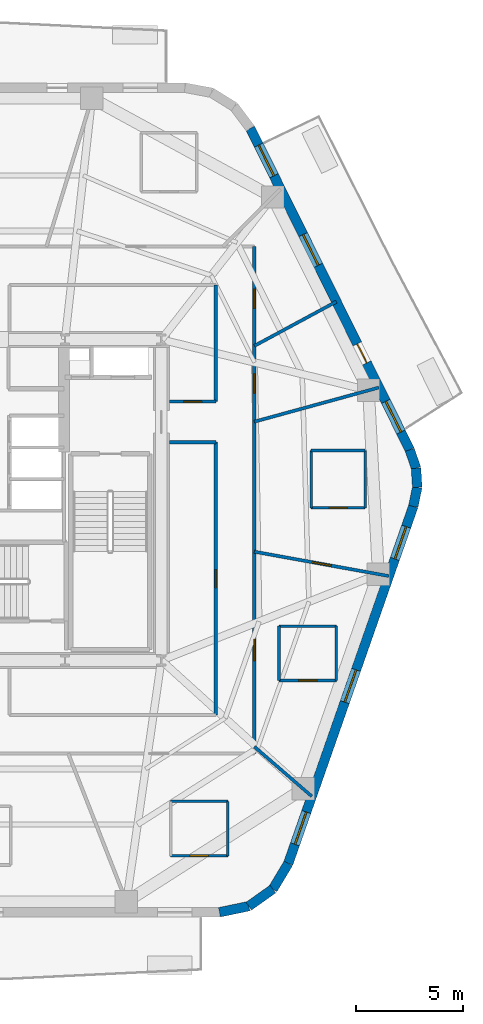
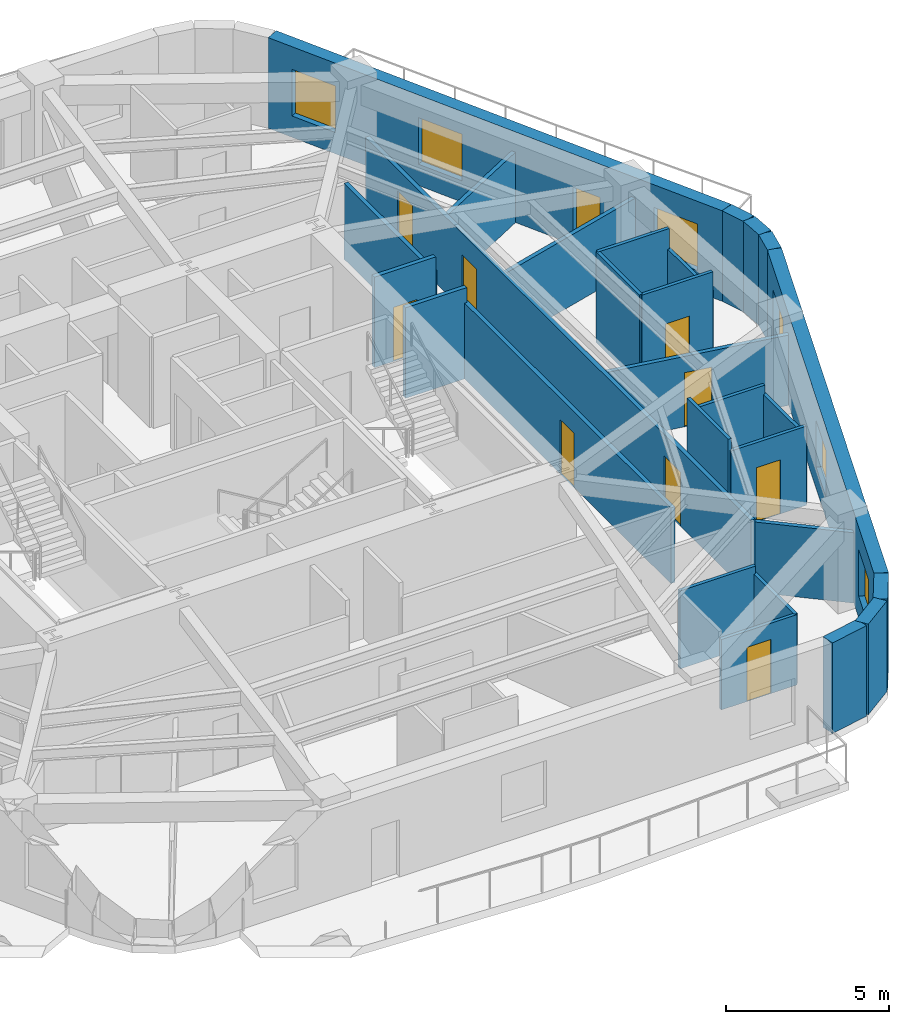
# One storey, part 5 of 10: 28 walls, 10 doors, 6 windows, 16 openings.
"""IFC4 building model written with IfcOpenShell, lengths in metres."""

import ifcopenshell
import ifcopenshell.guid

model = None  # the IFC model being written
_history = None  # IfcOwnerHistory: only IFC2X3 demands one
_inside = {}  # id of a spatial element -> (the spatial element, [elements in it])
_under = {}  # id of a project, library or spatial element -> (it, [spatial elements below it])
_declared = {}  # id of a project -> (the project, [libraries it declares])
_typed = {}  # id of a type object -> (the type object, [elements of that type])
_made_of = {}  # id of a material, layer set ... -> (it, [elements and type objects made of it])


def new_model(schema):
    """Start an empty IFC model of exactly this schema.

    Asked for "IFC4X3", IfcOpenShell would pick the latest addendum, in which some entities
    have other attributes; the version numbers below select the first issue.
    IFC2X3 requires an IfcOwnerHistory on every rooted entity: one is made here for all.
    """
    global model, _history
    if schema == "IFC4X3":
        model = ifcopenshell.file(schema_version=(4, 3, 0, 0))
    else:
        model = ifcopenshell.file(schema=schema)
    _inside.clear()
    _under.clear()
    _declared.clear()
    _typed.clear()
    _made_of.clear()
    _history = None
    if model.schema == "IFC2X3":
        org = make("IfcOrganization", Name="unknown")
        user = make(
            "IfcPersonAndOrganization",
            ThePerson=make("IfcPerson", FamilyName="unknown"),
            TheOrganization=org,
        )
        app = make(
            "IfcApplication",
            ApplicationDeveloper=org,
            Version="unknown",
            ApplicationFullName="unknown",
            ApplicationIdentifier="unknown",
        )
        _history = make(
            "IfcOwnerHistory",
            OwningUser=user,
            OwningApplication=app,
            ChangeAction="ADDED",
            CreationDate=0,
        )
    return model


def make(cls, **values):
    """One entity of the class cls with the attributes given. An attribute that is None is left unset."""
    return model.create_entity(
        cls, **{name: value for name, value in values.items() if value is not None}
    )


def rooted(cls, **values):
    """An entity with a GlobalId (a new one), such as an element, a storey or a relation."""
    return make(cls, GlobalId=ifcopenshell.guid.new(), OwnerHistory=_history, **values)


def si_unit(unit_type, name, prefix=None):
    """IfcSIUnit, for example si_unit("LENGTHUNIT", "METRE", prefix="MILLI")."""
    return make("IfcSIUnit", UnitType=unit_type, Prefix=prefix, Name=name)


def assignment(units):
    """IfcUnitAssignment: the units of a project."""
    return None if units is None else make("IfcUnitAssignment", Units=units)


def point(xyz):
    """IfcCartesianPoint."""
    return None if xyz is None else make("IfcCartesianPoint", Coordinates=xyz)


def direction(xyz):
    """IfcDirection."""
    return None if xyz is None else make("IfcDirection", DirectionRatios=xyz)


def frame(location, z_axis=None, x_axis=None):
    """IfcAxis2Placement3D, a coordinate frame: its origin and axes. An axis left out is left unset."""
    return make(
        "IfcAxis2Placement3D",
        Location=point(location),
        Axis=direction(z_axis),
        RefDirection=direction(x_axis),
    )


def frame_2d(location, x_axis=None):
    """IfcAxis2Placement2D, a coordinate frame in the plane: its origin and x axis."""
    return make(
        "IfcAxis2Placement2D", Location=point(location), RefDirection=direction(x_axis)
    )


def origin():
    """The frame at (0, 0, 0) with its axes left unset."""
    return frame((0.0, 0.0, 0.0))


def place(relative_to, where):
    """IfcLocalPlacement: puts the frame where relative to a parent placement (None: the world)."""
    return make(
        "IfcLocalPlacement", PlacementRelTo=relative_to, RelativePlacement=where
    )


def context(
    kind, dimensions, precision=None, world=None, true_north=None, identifier=None
):
    """IfcGeometricRepresentationContext, for example the 3D "Model" context."""
    return make(
        "IfcGeometricRepresentationContext",
        ContextIdentifier=identifier,
        ContextType=kind,
        CoordinateSpaceDimension=dimensions,
        Precision=precision,
        WorldCoordinateSystem=world,
        TrueNorth=true_north,
    )


def subcontext(parent, identifier, kind, view, scale=None):
    """IfcGeometricRepresentationSubContext, for example "Body" below "Model"."""
    return make(
        "IfcGeometricRepresentationSubContext",
        ContextIdentifier=identifier,
        ContextType=kind,
        ParentContext=parent,
        TargetScale=scale,
        TargetView=view,
    )


def project(units=None, contexts=None):
    """IfcProject with its units and contexts."""
    return rooted(
        "IfcProject",
        Name="project",
        RepresentationContexts=contexts,
        UnitsInContext=assignment(units),
    )


def spatial(cls, under=None, at=None, **own):
    """A site, building, storey or space (cls), placed at a placement, below another one or the project."""
    s = rooted(cls, ObjectPlacement=at, **own)
    if under is not None:
        _under.setdefault(under.id(), (under, []))[1].append(s)
    return s


def profile(cls, at=None, kind="AREA", **sizes):
    """A parametric profile (cls). Its sizes go by their IFC names, for example OverallWidth=200.0."""
    return make(cls, ProfileType=kind, Position=at, **sizes)


def rectangle(**sizes):
    """IfcRectangleProfileDef."""
    return profile("IfcRectangleProfileDef", **sizes)


def extrude(swept, where, along, depth):
    """IfcExtrudedAreaSolid: the profile swept, set in the frame where, extruded along a direction by depth."""
    return make(
        "IfcExtrudedAreaSolid",
        SweptArea=swept,
        Position=where,
        ExtrudedDirection=direction(along),
        Depth=depth,
    )


def shape(context_of_items, identifier, shape_type, items):
    """IfcShapeRepresentation: the items that make up one representation, for example the "Body"."""
    return make(
        "IfcShapeRepresentation",
        ContextOfItems=context_of_items,
        RepresentationIdentifier=identifier,
        RepresentationType=shape_type,
        Items=items,
    )


def material(Name=None, Category=None):
    """IfcMaterial."""
    return make("IfcMaterial", Name=Name, Category=Category)


def layer(
    of_material, thickness, ventilated=None, Name=None, Category=None, Priority=None
):
    """IfcMaterialLayer: one layer of a wall or slab, of a material (None: an air gap)."""
    return make(
        "IfcMaterialLayer",
        Material=of_material,
        LayerThickness=thickness,
        IsVentilated=ventilated,
        Name=Name,
        Category=Category,
        Priority=Priority,
    )


def layer_set(layers, Name=None):
    """IfcMaterialLayerSet."""
    return make("IfcMaterialLayerSet", MaterialLayers=layers, LayerSetName=Name)


def made_of(thing, what):
    """Note that an element or type object is made of a material, layer set ...; save() writes the relation."""
    if what is not None:
        _made_of.setdefault(what.id(), (what, []))[1].append(thing)
    return thing


def type_object(cls, material=None, **own):
    """A type object (cls), such as IfcWallType, which elements share."""
    return made_of(rooted(cls, **own), material)


def element(
    cls,
    number,
    at=None,
    inside=None,
    cuts=None,
    type_object=None,
    material=None,
    context=None,
    identifier="Body",
    shape_type=None,
    held_by="IfcProductDefinitionShape",
    body=None,
    shapes=None,
    **own,
):
    """One element of the class cls, such as IfcWall. Its Tag is "e" and its number.

    at: its placement. inside: the storey or other place that contains it. cuts: it is an
    opening in that element (IfcRelVoidsElement). A single representation is given by context,
    identifier, shape_type and body (its items); several are given by shapes. held_by: the class
    of the entity that holds the representations. save() writes the other relations.
    """
    e = rooted(cls, Tag="e%d" % number, ObjectPlacement=at, **own)
    if body is not None:
        shapes = [shape(context, identifier, shape_type, body)]
    if shapes is not None:
        e.Representation = make(held_by, Representations=shapes)
    if inside is not None:
        _inside.setdefault(inside.id(), (inside, []))[1].append(e)
    if cuts is not None:
        rooted(
            "IfcRelVoidsElement", RelatingBuildingElement=cuts, RelatedOpeningElement=e
        )
    if type_object is not None:
        _typed.setdefault(type_object.id(), (type_object, []))[1].append(e)
    return made_of(e, material)


def fill(opening, filler):
    """IfcRelFillsElement: the door or window that sits in an opening."""
    return rooted(
        "IfcRelFillsElement",
        RelatingOpeningElement=opening,
        RelatedBuildingElement=filler,
    )


def aggregate(whole, parts):
    """IfcRelAggregates: a whole, such as a stair, and the parts it consists of."""
    return rooted("IfcRelAggregates", RelatingObject=whole, RelatedObjects=parts)


def save(model, path):
    """Write the relations noted so far, then the file.

    IfcRelAggregates (storeys below a building ...), IfcRelContainedInSpatialStructure (elements
    in a storey), IfcRelDefinesByType, IfcRelAssociatesMaterial and IfcRelDeclares: one each for
    every whole, place, type object, material and project.
    """
    for whole, parts in _under.values():
        aggregate(whole, parts)
    for where, things in _inside.values():
        rooted(
            "IfcRelContainedInSpatialStructure",
            RelatedElements=things,
            RelatingStructure=where,
        )
    for kind, things in _typed.values():
        rooted("IfcRelDefinesByType", RelatedObjects=things, RelatingType=kind)
    for what, things in _made_of.values():
        rooted("IfcRelAssociatesMaterial", RelatedObjects=things, RelatingMaterial=what)
    for by, libraries in _declared.values():
        rooted("IfcRelDeclares", RelatingContext=by, RelatedDefinitions=libraries)
    model.write(path)


model = new_model("IFC4")

# Units and contexts
model_context = context("Model", 3, precision=1e-05, world=origin(), true_north=direction((0.0, 1.0)))
body_context = subcontext(model_context, "Body", "Model", "MODEL_VIEW")
ifc_project = project(units=[si_unit("LENGTHUNIT", "METRE"), si_unit("AREAUNIT", "SQUARE_METRE"), si_unit("VOLUMEUNIT", "CUBIC_METRE"), si_unit("PLANEANGLEUNIT", "RADIAN"), si_unit("MASSUNIT", "GRAM", prefix="KILO")], contexts=[model_context])

# Site, building, storey
site_placement = place(None, origin())
site = spatial("IfcSite", under=ifc_project, at=site_placement, CompositionType="ELEMENT")
building_placement = place(site_placement, origin())
building = spatial("IfcBuilding", under=site, at=building_placement, Name="Kilnhurst Terrace Hotel", CompositionType="ELEMENT")
storey_placement = place(building_placement, frame((0.0, 0.0, 190.39990234375)))
storey = spatial("IfcBuildingStorey", under=building, at=storey_placement, Name="L47", CompositionType="ELEMENT", Elevation=190.39990234375)

# Walls
ifc_material_1 = material(Name="Precast concrete C40/50", Category="concrete")
ifc_layer_1 = layer(ifc_material_1, 0.449951171875, Name="Precast concrete C40/50")
ifc_layer_set_1 = layer_set([ifc_layer_1], Name="Precast concrete C40/50")
wall_type_1 = type_object("IfcWallType", Name="WL-BRK-450", PredefinedType="SOLIDWALL", material=ifc_layer_set_1)
wall_1_placement = place(storey_placement, frame((11.720458984375, -19.27490234375, 0.0), z_axis=(0.0, 0.0, 1.0), x_axis=(0.97893106758, 0.204191001093, 0.0)))
element("IfcWall", 1, at=wall_1_placement, inside=storey, type_object=wall_type_1, Name="L47 Rounded Corner Brick Wall C2.1", PredefinedType="SOLIDWALL", context=body_context, shape_type="SweptSolid", body=[
    extrude(rectangle(XDim=1.400146484375, YDim=0.449951171875, at=frame_2d((0.7001953125, 0.0))), origin(), (0.0, 0.0, 1.0), 3.400146484375),
])
wall_2_placement = place(storey_placement, frame((13.091064453125, -18.989013671875, 0.0), z_axis=(0.0, 0.0, 1.0), x_axis=(0.815574637848, 0.578651890258, 0.0)))
element("IfcWall", 2, at=wall_2_placement, inside=storey, type_object=wall_type_1, Name="L47 Rounded Corner Brick Wall C2.2", PredefinedType="SOLIDWALL", context=body_context, shape_type="SweptSolid", body=[
    extrude(rectangle(XDim=1.376708984375, YDim=0.449951171875, at=frame_2d((0.6884765625, 0.0))), origin(), (0.0, 0.0, 1.0), 3.400146484375),
])
wall_3_placement = place(storey_placement, frame((14.2138671875, -18.1923828125, 0.0), z_axis=(0.0, 0.0, 1.0), x_axis=(0.516340945502, 0.856383108193, 0.0)))
element("IfcWall", 3, at=wall_3_placement, inside=storey, type_object=wall_type_1, Name="L47 Rounded Corner Brick Wall C2.3", PredefinedType="SOLIDWALL", context=body_context, shape_type="SweptSolid", body=[
    extrude(rectangle(XDim=1.400146484375, YDim=0.449951171875, at=frame_2d((0.7001953125, 0.0))), origin(), (0.0, 0.0, 1.0), 3.400146484375),
])
wall_4_placement = place(storey_placement, frame((20.78173828125, -0.298095703125, 0.0), z_axis=(0.0, 0.0, 1.0), x_axis=(0.202570068411, 0.979267771033, 0.0)))
element("IfcWall", 4, at=wall_4_placement, inside=storey, type_object=wall_type_1, Name="L47 Rounded Corner Brick Wall C3.1", PredefinedType="SOLIDWALL", context=body_context, shape_type="SweptSolid", body=[
    extrude(rectangle(XDim=0.90869140625, YDim=0.449951171875, at=frame_2d((0.454345703125, 0.0))), origin(), (0.0, 0.0, 1.0), 3.400146484375),
])
wall_5_placement = place(storey_placement, frame((20.9658203125, 0.591796875, 0.0), z_axis=(0.0, 0.0, 1.0), x_axis=(-0.061748898935, 0.998091715966, 0.0)))
element("IfcWall", 5, at=wall_5_placement, inside=storey, type_object=wall_type_1, Name="L47 Rounded Corner Brick Wall C3.2", PredefinedType="SOLIDWALL", context=body_context, shape_type="SweptSolid", body=[
    extrude(rectangle(XDim=0.8935546875, YDim=0.449951171875, at=frame_2d((0.44677734375, 0.0))), origin(), (0.0, 0.0, 1.0), 3.400146484375),
])
wall_6_placement = place(storey_placement, frame((20.91064453125, 1.483642578125, 0.0), z_axis=(0.0, 0.0, 1.0), x_axis=(-0.321623334353, 0.946867694453, 0.0)))
element("IfcWall", 6, at=wall_6_placement, inside=storey, type_object=wall_type_1, Name="L47 Rounded Corner Brick Wall C3.3", PredefinedType="SOLIDWALL", context=body_context, shape_type="SweptSolid", body=[
    extrude(rectangle(XDim=0.90869140625, YDim=0.449951171875, at=frame_2d((0.454345703125, 0.0))), origin(), (0.0, 0.0, 1.0), 3.400146484375),
])

# Wall, openings, windows
wall_7_placement = place(storey_placement, frame((14.936767578125, -16.993408203125, 0.0), z_axis=(0.0, 0.0, 1.0), x_axis=(0.330431575061, 0.943829949834, 0.0)))
wall_7 = element("IfcWall", 7, at=wall_7_placement, inside=storey, type_object=wall_type_1, Name="L47 Exterior Brick Facade Wall F2", PredefinedType="SOLIDWALL", context=body_context, shape_type="SweptSolid", body=[
    extrude(rectangle(XDim=17.68896484375, YDim=0.449951171875, at=frame_2d((8.844482421875, 0.0))), origin(), (0.0, 0.0, 1.0), 3.400146484375),
])
opening_1_placement = place(wall_7_placement, frame((0.949951171875, 0.0, 0.800048828125)))
opening_1 = element("IfcOpeningElement", 8, at=opening_1_placement, cuts=wall_7, Name="Opening W-05", PredefinedType="OPENING", context=body_context, shape_type="SweptSolid", body=[
    extrude(rectangle(XDim=1.60009765625, YDim=1.75, at=frame_2d((0.800048828125, 0.875))), frame((0.0, 0.23486328125, 0.0), z_axis=(0.0, -1.0, 0.0), x_axis=(1.0, 0.0, 0.0)), (0.0, 0.0, 1.0), 0.469970703125),
])
opening_2_placement = place(wall_7_placement, frame((7.989990234375, 0.0, 0.800048828125)))
opening_2 = element("IfcOpeningElement", 9, at=opening_2_placement, cuts=wall_7, Name="Opening W-05", PredefinedType="OPENING", context=body_context, shape_type="SweptSolid", body=[
    extrude(rectangle(XDim=1.60009765625, YDim=1.75, at=frame_2d((0.800048828125, 0.875))), frame((0.0, 0.23486328125, 0.0), z_axis=(0.0, -1.0, 0.0), x_axis=(1.0, 0.0, 0.0)), (0.0, 0.0, 1.0), 0.469970703125),
])
opening_3_placement = place(wall_7_placement, frame((15.083984375, 0.0, 0.800048828125)))
opening_3 = element("IfcOpeningElement", 10, at=opening_3_placement, cuts=wall_7, Name="Opening W-05", PredefinedType="OPENING", context=body_context, shape_type="SweptSolid", body=[
    extrude(rectangle(XDim=1.60009765625, YDim=1.75, at=frame_2d((0.800048828125, 0.875))), frame((0.0, 0.23486328125, 0.0), z_axis=(0.0, -1.0, 0.0), x_axis=(1.0, 0.0, 0.0)), (0.0, 0.0, 1.0), 0.469970703125),
])
ifc_material_2 = material(Name="Thermally Broken Bronze Aluminium Alloy 6063-T6 and Low-E Glass", Category="aluminium")
window_type = type_object("IfcWindowType", Name="WIN-1600X1750", PartitioningType="SINGLE_PANEL", PredefinedType="WINDOW", material=ifc_material_2)
window_1_placement = place(opening_1_placement, origin())
window_1 = element("IfcWindow", 11, at=window_1_placement, inside=storey, type_object=window_type, Name="L47 Deep-Set Masonry Window F2.1", OverallHeight=1.75, OverallWidth=1.60009765625, PartitioningType="SINGLE_PANEL", PredefinedType="WINDOW", context=body_context, shape_type="SweptSolid", body=[
    extrude(rectangle(XDim=1.60009765625, YDim=1.75, at=frame_2d((0.800048828125, 0.875))), frame((0.0, 0.030029296875, 0.0), z_axis=(0.0, -1.0, 0.0), x_axis=(1.0, 0.0, 0.0)), (0.0, 0.0, 1.0), 0.06005859375),
])
fill(opening_1, window_1)
window_2_placement = place(opening_2_placement, origin())
window_2 = element("IfcWindow", 12, at=window_2_placement, inside=storey, type_object=window_type, Name="L47 Deep-Set Masonry Window F2.2", OverallHeight=1.75, OverallWidth=1.60009765625, PartitioningType="SINGLE_PANEL", PredefinedType="WINDOW", context=body_context, shape_type="SweptSolid", body=[
    extrude(rectangle(XDim=1.60009765625, YDim=1.75, at=frame_2d((0.800048828125, 0.875))), frame((0.0, 0.030029296875, 0.0), z_axis=(0.0, -1.0, 0.0), x_axis=(1.0, 0.0, 0.0)), (0.0, 0.0, 1.0), 0.06005859375),
])
fill(opening_2, window_2)
window_3_placement = place(opening_3_placement, origin())
window_3 = element("IfcWindow", 13, at=window_3_placement, inside=storey, type_object=window_type, Name="L47 Deep-Set Masonry Window F2.3", OverallHeight=1.75, OverallWidth=1.60009765625, PartitioningType="SINGLE_PANEL", PredefinedType="WINDOW", context=body_context, shape_type="SweptSolid", body=[
    extrude(rectangle(XDim=1.60009765625, YDim=1.75, at=frame_2d((0.800048828125, 0.875))), frame((0.0, 0.030029296875, 0.0), z_axis=(0.0, -1.0, 0.0), x_axis=(1.0, 0.0, 0.0)), (0.0, 0.0, 1.0), 0.06005859375),
])
fill(opening_3, window_3)

# Wall, openings, door, windows
wall_8_placement = place(storey_placement, frame((20.618408203125, 2.343994140625, 0.0), z_axis=(0.0, 0.0, 1.0), x_axis=(-0.444243691097, 0.895905990002, 0.0)))
wall_8 = element("IfcWall", 14, at=wall_8_placement, inside=storey, type_object=wall_type_1, Name="L47 Exterior Brick Facade Wall F3", PredefinedType="SOLIDWALL", context=body_context, shape_type="SweptSolid", body=[
    extrude(rectangle(XDim=16.78369140625, YDim=0.449951171875, at=frame_2d((8.391845703125, 0.0))), origin(), (0.0, 0.0, 1.0), 3.400146484375),
])
opening_4_placement = place(wall_8_placement, frame((4.534912109375, 0.0, 0.0)))
opening_4 = element("IfcOpeningElement", 15, at=opening_4_placement, cuts=wall_8, Name="Opening BD-1000", PredefinedType="OPENING", context=body_context, shape_type="SweptSolid", body=[
    extrude(rectangle(XDim=1.0, YDim=2.14990234375, at=frame_2d((0.5, 1.074951171875))), frame((0.0, 0.23486328125, 0.0), z_axis=(0.0, -1.0, 0.0), x_axis=(1.0, 0.0, 0.0)), (0.0, 0.0, 1.0), 0.469970703125),
])
opening_5_placement = place(wall_8_placement, frame((9.633056640625, 0.0, 0.800048828125)))
opening_5 = element("IfcOpeningElement", 16, at=opening_5_placement, cuts=wall_8, Name="Opening W-05", PredefinedType="OPENING", context=body_context, shape_type="SweptSolid", body=[
    extrude(rectangle(XDim=1.60009765625, YDim=1.75, at=frame_2d((0.800048828125, 0.875))), frame((0.0, 0.23486328125, 0.0), z_axis=(0.0, -1.0, 0.0), x_axis=(1.0, 0.0, 0.0)), (0.0, 0.0, 1.0), 0.469970703125),
])
opening_6_placement = place(wall_8_placement, frame((14.302978515625, 0.0, 0.800048828125)))
opening_6 = element("IfcOpeningElement", 17, at=opening_6_placement, cuts=wall_8, Name="Opening W-05", PredefinedType="OPENING", context=body_context, shape_type="SweptSolid", body=[
    extrude(rectangle(XDim=1.60009765625, YDim=1.75, at=frame_2d((0.800048828125, 0.875))), frame((0.0, 0.23486328125, 0.0), z_axis=(0.0, -1.0, 0.0), x_axis=(1.0, 0.0, 0.0)), (0.0, 0.0, 1.0), 0.469970703125),
])
opening_7_placement = place(wall_8_placement, frame((0.930908203125, 0.0, 0.800048828125)))
opening_7 = element("IfcOpeningElement", 18, at=opening_7_placement, cuts=wall_8, Name="Opening W-05", PredefinedType="OPENING", context=body_context, shape_type="SweptSolid", body=[
    extrude(rectangle(XDim=1.60009765625, YDim=1.75, at=frame_2d((0.800048828125, 0.875))), frame((0.0, 0.23486328125, 0.0), z_axis=(0.0, -1.0, 0.0), x_axis=(1.0, 0.0, 0.0)), (0.0, 0.0, 1.0), 0.469970703125),
])
ifc_material_3 = material(Name="Thermally Broken Bronze Aluminium Alloy 6063-T6 and Laminated Glass", Category="aluminium")
door_type_1 = type_object("IfcDoorType", Name="DR-EXT-BAL-1000", OperationType="NOTDEFINED", PredefinedType="DOOR", material=ifc_material_3)
door_1_placement = place(opening_4_placement, origin())
door_1 = element("IfcDoor", 19, at=door_1_placement, inside=storey, type_object=door_type_1, Name="L47 Planted Balcony Door BAL-L1A", OperationType="SINGLE_SWING_LEFT", OverallHeight=2.14990234375, OverallWidth=1.0, PredefinedType="DOOR", context=body_context, shape_type="SweptSolid", body=[
    extrude(rectangle(XDim=1.0, YDim=2.14990234375, at=frame_2d((0.5, 1.074951171875))), frame((0.0, 0.02490234375, 0.0), z_axis=(0.0, -1.0, 0.0), x_axis=(1.0, 0.0, 0.0)), (0.0, 0.0, 1.0), 0.050048828125),
])
fill(opening_4, door_1)
window_4_placement = place(opening_5_placement, origin())
window_4 = element("IfcWindow", 20, at=window_4_placement, inside=storey, type_object=window_type, Name="L47 Deep-Set Masonry Window F3.1", OverallHeight=1.75, OverallWidth=1.60009765625, PartitioningType="SINGLE_PANEL", PredefinedType="WINDOW", context=body_context, shape_type="SweptSolid", body=[
    extrude(rectangle(XDim=1.60009765625, YDim=1.75, at=frame_2d((0.800048828125, 0.875))), frame((0.0, 0.030029296875, 0.0), z_axis=(0.0, -1.0, 0.0), x_axis=(1.0, 0.0, 0.0)), (0.0, 0.0, 1.0), 0.06005859375),
])
fill(opening_5, window_4)
window_5_placement = place(opening_6_placement, origin())
window_5 = element("IfcWindow", 21, at=window_5_placement, inside=storey, type_object=window_type, Name="L47 Deep-Set Masonry Window F3.2", OverallHeight=1.75, OverallWidth=1.60009765625, PartitioningType="SINGLE_PANEL", PredefinedType="WINDOW", context=body_context, shape_type="SweptSolid", body=[
    extrude(rectangle(XDim=1.60009765625, YDim=1.75, at=frame_2d((0.800048828125, 0.875))), frame((0.0, 0.030029296875, 0.0), z_axis=(0.0, -1.0, 0.0), x_axis=(1.0, 0.0, 0.0)), (0.0, 0.0, 1.0), 0.06005859375),
])
fill(opening_6, window_5)
window_6_placement = place(opening_7_placement, origin())
window_6 = element("IfcWindow", 22, at=window_6_placement, inside=storey, type_object=window_type, Name="L47 Deep-Set Masonry Window F3.3", OverallHeight=1.75, OverallWidth=1.60009765625, PartitioningType="SINGLE_PANEL", PredefinedType="WINDOW", context=body_context, shape_type="SweptSolid", body=[
    extrude(rectangle(XDim=1.60009765625, YDim=1.75, at=frame_2d((0.800048828125, 0.875))), frame((0.0, 0.030029296875, 0.0), z_axis=(0.0, -1.0, 0.0), x_axis=(1.0, 0.0, 0.0)), (0.0, 0.0, 1.0), 0.06005859375),
])
fill(opening_7, window_6)

# Wall, openings, doors
ifc_material_4 = material(Name="Acoustic Double-Gypsum Corridor Partition Assembly")
ifc_layer_2 = layer(ifc_material_4, 0.14990234375, Name="Acoustic Double-Gypsum Corridor Partition Assembly")
ifc_layer_set_2 = layer_set([ifc_layer_2], Name="Acoustic Double-Gypsum Corridor Partition Assembly")
wall_type_2 = type_object("IfcWallType", Name="WL-COR-150", PredefinedType="PARTITIONING", material=ifc_layer_set_2)
wall_9_placement = place(storey_placement, frame((13.35009765625, 11.85009765625, 0.0), z_axis=(0.0, 0.0, 1.0), x_axis=(0.0, -1.0, 0.0)))
wall_9 = element("IfcWall", 23, at=wall_9_placement, inside=storey, type_object=wall_type_2, Name="L47 Interior Wall WL-L47-COR-04", PredefinedType="PARTITIONING", context=body_context, shape_type="SweptSolid", body=[
    extrude(rectangle(XDim=23.7001953125, YDim=0.14990234375, at=frame_2d((11.85009765625, 0.0))), origin(), (0.0, 0.0, 1.0), 2.840087890625),
])
opening_8_placement = place(wall_9_placement, frame((5.950927734375, 0.0, 0.0)))
opening_8 = element("IfcOpeningElement", 24, at=opening_8_placement, cuts=wall_9, Name="Opening D-60C", PredefinedType="OPENING", context=body_context, shape_type="SweptSolid", body=[
    extrude(rectangle(XDim=0.89990234375, YDim=2.030029296875, at=frame_2d((0.449951171875, 1.01513671875))), frame((0.0, 0.0849609375, 0.0), z_axis=(0.0, -1.0, 0.0), x_axis=(1.0, 0.0, 0.0)), (0.0, 0.0, 1.0), 0.169921875),
])
opening_9_placement = place(wall_9_placement, frame((1.992919921875, 0.0, 0.0)))
opening_9 = element("IfcOpeningElement", 25, at=opening_9_placement, cuts=wall_9, Name="Opening D-60C", PredefinedType="OPENING", context=body_context, shape_type="SweptSolid", body=[
    extrude(rectangle(XDim=0.89990234375, YDim=2.030029296875, at=frame_2d((0.449951171875, 1.01513671875))), frame((0.0, 0.0849609375, 0.0), z_axis=(0.0, -1.0, 0.0), x_axis=(1.0, 0.0, 0.0)), (0.0, 0.0, 1.0), 0.169921875),
])
opening_10_placement = place(wall_9_placement, frame((18.364013671875, 0.0, 0.0)))
opening_10 = element("IfcOpeningElement", 26, at=opening_10_placement, cuts=wall_9, Name="Opening D-60A", PredefinedType="OPENING", context=body_context, shape_type="SweptSolid", body=[
    extrude(rectangle(XDim=1.0, YDim=2.030029296875, at=frame_2d((0.5, 1.01513671875))), frame((0.0, 0.0849609375, 0.0), z_axis=(0.0, -1.0, 0.0), x_axis=(1.0, 0.0, 0.0)), (0.0, 0.0, 1.0), 0.169921875),
])
ifc_material_5 = material(Name="Acoustic Walnut Veneer Solid-Core Fire Door")
door_type_2 = type_object("IfcDoorType", Name="DR-FD60-1000", OperationType="NOTDEFINED", PredefinedType="DOOR", material=ifc_material_5)
door_2_placement = place(opening_10_placement, origin())
door_2 = element("IfcDoor", 27, at=door_2_placement, inside=storey, type_object=door_type_2, Name="L47 Sky Residence Entry Door 13", OperationType="SINGLE_SWING_LEFT", OverallHeight=2.030029296875, OverallWidth=1.0, PredefinedType="DOOR", context=body_context, shape_type="SweptSolid", body=[
    extrude(rectangle(XDim=1.0, YDim=2.030029296875, at=frame_2d((0.5, 1.01513671875))), frame((0.0, 0.02490234375, 0.0), z_axis=(0.0, -1.0, 0.0), x_axis=(1.0, 0.0, 0.0)), (0.0, 0.0, 1.0), 0.050048828125),
])
fill(opening_10, door_2)
ifc_material_6 = material(Name="Painted Solid-Core Service Fire Door")
door_type_3 = type_object("IfcDoorType", Name="DR-FD60-900", OperationType="NOTDEFINED", PredefinedType="DOOR", material=ifc_material_6)
door_3_placement = place(opening_8_placement, origin())
door_3 = element("IfcDoor", 28, at=door_3_placement, inside=storey, type_object=door_type_3, Name="L47 Private Study Salon Door 1", OperationType="SINGLE_SWING_LEFT", OverallHeight=2.030029296875, OverallWidth=0.89990234375, PredefinedType="DOOR", context=body_context, shape_type="SweptSolid", body=[
    extrude(rectangle(XDim=0.89990234375, YDim=2.030029296875, at=frame_2d((0.449951171875, 1.01513671875))), frame((0.0, 0.02490234375, 0.0), z_axis=(0.0, -1.0, 0.0), x_axis=(1.0, 0.0, 0.0)), (0.0, 0.0, 1.0), 0.050048828125),
])
fill(opening_8, door_3)
door_4_placement = place(opening_9_placement, origin())
door_4 = element("IfcDoor", 29, at=door_4_placement, inside=storey, type_object=door_type_3, Name="L47 Executive Work Office Door 2", OperationType="SINGLE_SWING_RIGHT", OverallHeight=2.030029296875, OverallWidth=0.89990234375, PredefinedType="DOOR", context=body_context, shape_type="SweptSolid", body=[
    extrude(rectangle(XDim=0.89990234375, YDim=2.030029296875, at=frame_2d((0.449951171875, 1.01513671875))), frame((0.0, 0.02490234375, 0.0), z_axis=(0.0, -1.0, 0.0), x_axis=(1.0, 0.0, 0.0)), (0.0, 0.0, 1.0), 0.050048828125),
])
fill(opening_9, door_4)

# Wall, opening, door
wall_10_placement = place(storey_placement, frame((11.550048828125, -10.050048828125, 0.0), z_axis=(0.0, 0.0, 1.0), x_axis=(0.0, 1.0, 0.0)))
wall_10 = element("IfcWall", 30, at=wall_10_placement, inside=storey, type_object=wall_type_2, Name="L47 Interior Wall WL-L47-COR-05", PredefinedType="PARTITIONING", context=body_context, shape_type="SweptSolid", body=[
    extrude(rectangle(XDim=12.75, YDim=0.14990234375, at=frame_2d((6.375, 0.0))), origin(), (0.0, 0.0, 1.0), 2.840087890625),
])
opening_11_placement = place(wall_10_placement, frame((5.949951171875, 0.0, 0.0)))
opening_11 = element("IfcOpeningElement", 31, at=opening_11_placement, cuts=wall_10, Name="Opening D-60D", PredefinedType="OPENING", context=body_context, shape_type="SweptSolid", body=[
    extrude(rectangle(XDim=0.85009765625, YDim=2.030029296875, at=frame_2d((0.425048828125, 1.01513671875))), frame((0.0, 0.0849609375, 0.0), z_axis=(0.0, -1.0, 0.0), x_axis=(1.0, 0.0, 0.0)), (0.0, 0.0, 1.0), 0.169921875),
])
ifc_material_7 = material(Name="Painted Hollow Metal Steel ASTM A36 Riser Door", Category="steel")
door_type_4 = type_object("IfcDoorType", Name="DR-FD60-850", OperationType="NOTDEFINED", PredefinedType="DOOR", material=ifc_material_7)
door_5_placement = place(opening_11_placement, origin())
door_5 = element("IfcDoor", 32, at=door_5_placement, inside=storey, type_object=door_type_4, Name="L47 Floor Electrical Switch Room Door", OperationType="SINGLE_SWING_RIGHT", OverallHeight=2.030029296875, OverallWidth=0.85009765625, PredefinedType="DOOR", context=body_context, shape_type="SweptSolid", body=[
    extrude(rectangle(XDim=0.85009765625, YDim=2.030029296875, at=frame_2d((0.425048828125, 1.01513671875))), frame((0.0, 0.02490234375, 0.0), z_axis=(0.0, -1.0, 0.0), x_axis=(1.0, 0.0, 0.0)), (0.0, 0.0, 1.0), 0.050048828125),
])
fill(opening_11, door_5)

# Wall
wall_11_placement = place(storey_placement, frame((11.550048828125, 2.699951171875, 0.0), z_axis=(0.0, 0.0, 1.0), x_axis=(-1.0, 0.0, 0.0)))
element("IfcWall", 33, at=wall_11_placement, inside=storey, type_object=wall_type_2, Name="L47 Interior Wall WL-L47-COR-06", PredefinedType="PARTITIONING", context=body_context, shape_type="SweptSolid", body=[
    extrude(rectangle(XDim=2.175048828125, YDim=0.14990234375, at=frame_2d((1.08740234375, 0.0))), origin(), (0.0, 0.0, 1.0), 3.400146484375),
])

# Wall, opening, door
wall_12_placement = place(storey_placement, frame((9.375, 4.60009765625, 0.0), z_axis=(0.0, 0.0, 1.0), x_axis=(1.0, 0.0, 0.0)))
wall_12 = element("IfcWall", 34, at=wall_12_placement, inside=storey, type_object=wall_type_2, Name="L47 Interior Wall WL-L47-COR-07", PredefinedType="PARTITIONING", context=body_context, shape_type="SweptSolid", body=[
    extrude(rectangle(XDim=2.175048828125, YDim=0.14990234375, at=frame_2d((1.08740234375, 0.0))), origin(), (0.0, 0.0, 1.0), 3.400146484375),
])
opening_12_placement = place(wall_12_placement, frame((0.6630859375, 0.0, 0.0)))
opening_12 = element("IfcOpeningElement", 35, at=opening_12_placement, cuts=wall_12, Name="Opening D-60D", PredefinedType="OPENING", context=body_context, shape_type="SweptSolid", body=[
    extrude(rectangle(XDim=0.85009765625, YDim=2.030029296875, at=frame_2d((0.425048828125, 1.01513671875))), frame((0.0, 0.0849609375, 0.0), z_axis=(0.0, -1.0, 0.0), x_axis=(1.0, 0.0, 0.0)), (0.0, 0.0, 1.0), 0.169921875),
])
door_6_placement = place(opening_12_placement, origin())
door_6 = element("IfcDoor", 36, at=door_6_placement, inside=storey, type_object=door_type_4, Name="L47 Floor Beverage Service Room Door", OperationType="SINGLE_SWING_LEFT", OverallHeight=2.030029296875, OverallWidth=0.85009765625, PredefinedType="DOOR", context=body_context, shape_type="SweptSolid", body=[
    extrude(rectangle(XDim=0.85009765625, YDim=2.030029296875, at=frame_2d((0.425048828125, 1.01513671875))), frame((0.0, 0.02490234375, 0.0), z_axis=(0.0, -1.0, 0.0), x_axis=(1.0, 0.0, 0.0)), (0.0, 0.0, 1.0), 0.050048828125),
])
fill(opening_12, door_6)

# Walls
wall_13_placement = place(storey_placement, frame((11.550048828125, 4.60009765625, 0.0), z_axis=(0.0, 0.0, 1.0), x_axis=(0.0, 1.0, 0.0)))
element("IfcWall", 37, at=wall_13_placement, inside=storey, type_object=wall_type_2, Name="L47 Interior Wall WL-L47-COR-08", PredefinedType="PARTITIONING", context=body_context, shape_type="SweptSolid", body=[
    extrude(rectangle(XDim=5.449951171875, YDim=0.14990234375, at=frame_2d((2.72509765625, 0.0))), origin(), (0.0, 0.0, 1.0), 2.840087890625),
])
ifc_material_8 = material(Name="STC-58 Acoustic Twin-Frame Guestroom Demising Partition")
ifc_layer_3 = layer(ifc_material_8, 0.14990234375, Name="STC-58 Acoustic Twin-Frame Guestroom Demising Partition")
ifc_layer_set_3 = layer_set([ifc_layer_3], Name="STC-58 Acoustic Twin-Frame Guestroom Demising Partition")
wall_type_3 = type_object("IfcWallType", Name="WL-DEM-150", PredefinedType="PARTITIONING", material=ifc_layer_set_3)
wall_14_placement = place(storey_placement, frame((13.35009765625, 3.66064453125, 0.0), z_axis=(0.0, 0.0, 1.0), x_axis=(0.964397145454, 0.264458211898, 0.0)))
element("IfcWall", 38, at=wall_14_placement, inside=storey, type_object=wall_type_3, Name="L47 Interior Wall WL-L47-DEM-COL01-01-1", PredefinedType="PARTITIONING", context=body_context, shape_type="SweptSolid", body=[
    extrude(rectangle(XDim=6.03857421875, YDim=0.14990234375, at=frame_2d((3.019287109375, 0.0))), origin(), (0.0, 0.0, 1.0), 2.64013671875),
])
wall_15_placement = place(storey_placement, frame((13.35009765625, 7.2041015625, 0.0), z_axis=(0.0, 0.0, 1.0), x_axis=(0.880033329067, 0.474911928394, 0.0)))
element("IfcWall", 39, at=wall_15_placement, inside=storey, type_object=wall_type_3, Name="L47 Interior Wall WL-L47-DEM-MID01-02-1", PredefinedType="PARTITIONING", context=body_context, shape_type="SweptSolid", body=[
    extrude(rectangle(XDim=4.355224609375, YDim=0.14990234375, at=frame_2d((2.177734375, 0.0))), origin(), (0.0, 0.0, 1.0), 2.64013671875),
])
wall_16_placement = place(storey_placement, frame((13.35009765625, -11.53271484375, 0.0), z_axis=(0.0, 0.0, 1.0), x_axis=(0.756711647314, -0.65374879183, 0.0)))
element("IfcWall", 40, at=wall_16_placement, inside=storey, type_object=wall_type_3, Name="L47 Interior Wall WL-L47-DEM-COL11-13-1", PredefinedType="PARTITIONING", context=body_context, shape_type="SweptSolid", body=[
    extrude(rectangle(XDim=3.549560546875, YDim=0.14990234375, at=frame_2d((1.77490234375, 0.0))), origin(), (0.0, 0.0, 1.0), 2.64013671875),
])

# Wall, opening, door
wall_17_placement = place(storey_placement, frame((13.35009765625, -2.417236328125, 0.0), z_axis=(0.0, 0.0, 1.0), x_axis=(0.98399796473, -0.178179699761, 0.0)))
wall_17 = element("IfcWall", 41, at=wall_17_placement, inside=storey, type_object=wall_type_3, Name="L47 Interior Wall WL-L47-DEM-COL12-14-1", PredefinedType="PARTITIONING", context=body_context, shape_type="SweptSolid", body=[
    extrude(rectangle(XDim=6.393310546875, YDim=0.14990234375, at=frame_2d((3.19677734375, 0.0))), origin(), (0.0, 0.0, 1.0), 2.64013671875),
])
opening_13_placement = place(wall_17_placement, frame((2.7470703125, 0.0, 0.0)))
opening_13 = element("IfcOpeningElement", 42, at=opening_13_placement, cuts=wall_17, Name="Opening D-09B", PredefinedType="OPENING", context=body_context, shape_type="SweptSolid", body=[
    extrude(rectangle(XDim=0.89990234375, YDim=2.030029296875, at=frame_2d((0.449951171875, 1.01513671875))), frame((0.0, 0.0849609375, 0.0), z_axis=(0.0, -1.0, 0.0), x_axis=(1.0, 0.0, 0.0)), (0.0, 0.0, 1.0), 0.169921875),
])
ifc_material_9 = material(Name="Moisture-Resistant Solid-Core Restroom Door")
door_type_5 = type_object("IfcDoorType", Name="DR-INT-900", OperationType="NOTDEFINED", PredefinedType="DOOR", material=ifc_material_9)
door_7_placement = place(opening_13_placement, origin())
door_7 = element("IfcDoor", 43, at=door_7_placement, inside=storey, type_object=door_type_5, Name="L47 Sky Residence Bedroom Door 13", OperationType="SINGLE_SWING_LEFT", OverallHeight=2.030029296875, OverallWidth=0.89990234375, PredefinedType="DOOR", context=body_context, shape_type="SweptSolid", body=[
    extrude(rectangle(XDim=0.89990234375, YDim=2.030029296875, at=frame_2d((0.449951171875, 1.01513671875))), frame((0.0, 0.02490234375, 0.0), z_axis=(0.0, -1.0, 0.0), x_axis=(1.0, 0.0, 0.0)), (0.0, 0.0, 1.0), 0.050048828125),
])
fill(opening_13, door_7)

ifc_material_10 = material(Name="120 mm Moisture-Resistant Tile-Backed Bathroom Partition")
ifc_layer_4 = layer(ifc_material_10, 0.1201171875, Name="120 mm Moisture-Resistant Tile-Backed Bathroom Partition")
ifc_layer_set_4 = layer_set([ifc_layer_4], Name="120 mm Moisture-Resistant Tile-Backed Bathroom Partition")
wall_type_4 = type_object("IfcWallType", Name="WL-PART-120", PredefinedType="PARTITIONING", material=ifc_layer_set_4)
wall_18_placement = place(storey_placement, frame((9.43603515625, -16.632080078125, 0.0), z_axis=(0.0, 0.0, 1.0), x_axis=(1.0, 0.0, 0.0)))
wall_18 = element("IfcWall", 44, at=wall_18_placement, inside=storey, type_object=wall_type_4, Name="L47 Interior Wall WL-L47-BTH-12-1", PredefinedType="PARTITIONING", context=body_context, shape_type="SweptSolid", body=[
    extrude(rectangle(XDim=2.679931640625, YDim=0.1201171875, at=frame_2d((1.33984375, 0.0))), origin(), (0.0, 0.0, 1.0), 2.64013671875),
])
opening_14_placement = place(wall_18_placement, frame((0.9150390625, 0.0, 0.0)))
opening_14 = element("IfcOpeningElement", 45, at=opening_14_placement, cuts=wall_18, Name="Opening D-08A", PredefinedType="OPENING", context=body_context, shape_type="SweptSolid", body=[
    extrude(rectangle(XDim=0.85009765625, YDim=2.030029296875, at=frame_2d((0.425048828125, 1.01513671875))), frame((0.0, 0.070068359375, 0.0), z_axis=(0.0, -1.0, 0.0), x_axis=(1.0, 0.0, 0.0)), (0.0, 0.0, 1.0), 0.14013671875),
])
ifc_material_11 = material(Name="Moisture-Resistant Lacquered En-suite Bathroom Door")
door_type_6 = type_object("IfcDoorType", Name="DR-INT-850", OperationType="NOTDEFINED", PredefinedType="DOOR", material=ifc_material_11)
door_8_placement = place(opening_14_placement, origin())
door_8 = element("IfcDoor", 46, at=door_8_placement, inside=storey, type_object=door_type_6, Name="L47 En-suite Bathroom Door 12", OperationType="SINGLE_SWING_LEFT", OverallHeight=2.030029296875, OverallWidth=0.85009765625, PredefinedType="DOOR", context=body_context, shape_type="SweptSolid", body=[
    extrude(rectangle(XDim=0.85009765625, YDim=2.030029296875, at=frame_2d((0.425048828125, 1.01513671875))), frame((0.0, 0.02490234375, 0.0), z_axis=(0.0, -1.0, 0.0), x_axis=(1.0, 0.0, 0.0)), (0.0, 0.0, 1.0), 0.050048828125),
])
fill(opening_14, door_8)

# Walls
wall_19_placement = place(storey_placement, frame((12.115966796875, -16.632080078125, 0.0), z_axis=(0.0, 0.0, 1.0), x_axis=(0.0, 1.0, 0.0)))
element("IfcWall", 47, at=wall_19_placement, inside=storey, type_object=wall_type_4, Name="L47 Interior Wall WL-L47-BTH-12-2", PredefinedType="PARTITIONING", context=body_context, shape_type="SweptSolid", body=[
    extrude(rectangle(XDim=2.5400390625, YDim=0.1201171875, at=frame_2d((1.27001953125, 0.0))), origin(), (0.0, 0.0, 1.0), 2.64013671875),
])
wall_20_placement = place(storey_placement, frame((12.115966796875, -14.092041015625, 0.0), z_axis=(0.0, 0.0, 1.0), x_axis=(-1.0, 0.0, 0.0)))
element("IfcWall", 48, at=wall_20_placement, inside=storey, type_object=wall_type_4, Name="L47 Interior Wall WL-L47-BTH-12-3", PredefinedType="PARTITIONING", context=body_context, shape_type="SweptSolid", body=[
    extrude(rectangle(XDim=2.679931640625, YDim=0.1201171875, at=frame_2d((1.33984375, 0.0))), origin(), (0.0, 0.0, 1.0), 2.926513671875),
])

# Wall, opening, door
wall_21_placement = place(storey_placement, frame((14.5029296875, -8.43896484375, 0.0), z_axis=(0.0, 0.0, 1.0), x_axis=(1.0, 0.0, 0.0)))
wall_21 = element("IfcWall", 49, at=wall_21_placement, inside=storey, type_object=wall_type_4, Name="L47 Interior Wall WL-L47-KIT-13-1", PredefinedType="PARTITIONING", context=body_context, shape_type="SweptSolid", body=[
    extrude(rectangle(XDim=2.68017578125, YDim=0.1201171875, at=frame_2d((1.340087890625, 0.0))), origin(), (0.0, 0.0, 1.0), 2.972412109375),
])
opening_15_placement = place(wall_21_placement, frame((0.9150390625, 0.0, 0.0)))
opening_15 = element("IfcOpeningElement", 50, at=opening_15_placement, cuts=wall_21, Name="Opening D-08A", PredefinedType="OPENING", context=body_context, shape_type="SweptSolid", body=[
    extrude(rectangle(XDim=0.85009765625, YDim=2.030029296875, at=frame_2d((0.425048828125, 1.01513671875))), frame((0.0, 0.070068359375, 0.0), z_axis=(0.0, -1.0, 0.0), x_axis=(1.0, 0.0, 0.0)), (0.0, 0.0, 1.0), 0.14013671875),
])
door_9_placement = place(opening_15_placement, origin())
door_9 = element("IfcDoor", 51, at=door_9_placement, inside=storey, type_object=door_type_6, Name="L47 Sky Residence Kitchen Door 13", OperationType="SINGLE_SWING_RIGHT", OverallHeight=2.030029296875, OverallWidth=0.85009765625, PredefinedType="DOOR", context=body_context, shape_type="SweptSolid", body=[
    extrude(rectangle(XDim=0.85009765625, YDim=2.030029296875, at=frame_2d((0.425048828125, 1.01513671875))), frame((0.0, 0.02490234375, 0.0), z_axis=(0.0, -1.0, 0.0), x_axis=(1.0, 0.0, 0.0)), (0.0, 0.0, 1.0), 0.050048828125),
])
fill(opening_15, door_9)

# Walls
wall_22_placement = place(storey_placement, frame((17.18310546875, -8.43896484375, 0.0), z_axis=(0.0, 0.0, 1.0), x_axis=(0.0, 1.0, 0.0)))
element("IfcWall", 52, at=wall_22_placement, inside=storey, type_object=wall_type_4, Name="L47 Interior Wall WL-L47-KIT-13-2", PredefinedType="PARTITIONING", context=body_context, shape_type="SweptSolid", body=[
    extrude(rectangle(XDim=2.5400390625, YDim=0.1201171875, at=frame_2d((1.27001953125, 0.0))), origin(), (0.0, 0.0, 1.0), 2.64013671875),
])
wall_23_placement = place(storey_placement, frame((17.18310546875, -5.89892578125, 0.0), z_axis=(0.0, 0.0, 1.0), x_axis=(-1.0, 0.0, 0.0)))
element("IfcWall", 53, at=wall_23_placement, inside=storey, type_object=wall_type_4, Name="L47 Interior Wall WL-L47-KIT-13-3", PredefinedType="PARTITIONING", context=body_context, shape_type="SweptSolid", body=[
    extrude(rectangle(XDim=2.68017578125, YDim=0.1201171875, at=frame_2d((1.340087890625, 0.0))), origin(), (0.0, 0.0, 1.0), 2.972412109375),
])
wall_24_placement = place(storey_placement, frame((14.5029296875, -5.89892578125, 0.0), z_axis=(0.0, 0.0, 1.0), x_axis=(0.0, -1.0, 0.0)))
element("IfcWall", 54, at=wall_24_placement, inside=storey, type_object=wall_type_4, Name="L47 Interior Wall WL-L47-KIT-13-4", PredefinedType="PARTITIONING", context=body_context, shape_type="SweptSolid", body=[
    extrude(rectangle(XDim=2.5400390625, YDim=0.1201171875, at=frame_2d((1.27001953125, 0.0))), origin(), (0.0, 0.0, 1.0), 3.400146484375),
])

# Wall, opening, door
wall_25_placement = place(storey_placement, frame((16.010009765625, -0.366943359375, 0.0), z_axis=(0.0, 0.0, 1.0), x_axis=(1.0, 0.0, 0.0)))
wall_25 = element("IfcWall", 55, at=wall_25_placement, inside=storey, type_object=wall_type_4, Name="L47 Interior Wall WL-L47-RBTH-13-1", PredefinedType="PARTITIONING", context=body_context, shape_type="SweptSolid", body=[
    extrude(rectangle(XDim=2.52001953125, YDim=0.1201171875, at=frame_2d((1.260009765625, 0.0))), origin(), (0.0, 0.0, 1.0), 3.400146484375),
])
opening_16_placement = place(wall_25_placement, frame((0.8349609375, 0.0, 0.0)))
opening_16 = element("IfcOpeningElement", 56, at=opening_16_placement, cuts=wall_25, Name="Opening D-08A", PredefinedType="OPENING", context=body_context, shape_type="SweptSolid", body=[
    extrude(rectangle(XDim=0.85009765625, YDim=2.030029296875, at=frame_2d((0.425048828125, 1.01513671875))), frame((0.0, 0.070068359375, 0.0), z_axis=(0.0, -1.0, 0.0), x_axis=(1.0, 0.0, 0.0)), (0.0, 0.0, 1.0), 0.14013671875),
])
door_10_placement = place(opening_16_placement, origin())
door_10 = element("IfcDoor", 57, at=door_10_placement, inside=storey, type_object=door_type_6, Name="L47 Sky Residence Bathroom Door 13", OperationType="SINGLE_SWING_LEFT", OverallHeight=2.030029296875, OverallWidth=0.85009765625, PredefinedType="DOOR", context=body_context, shape_type="SweptSolid", body=[
    extrude(rectangle(XDim=0.85009765625, YDim=2.030029296875, at=frame_2d((0.425048828125, 1.01513671875))), frame((0.0, 0.02490234375, 0.0), z_axis=(0.0, -1.0, 0.0), x_axis=(1.0, 0.0, 0.0)), (0.0, 0.0, 1.0), 0.050048828125),
])
fill(opening_16, door_10)

# Walls
wall_26_placement = place(storey_placement, frame((18.530029296875, -0.366943359375, 0.0), z_axis=(0.0, 0.0, 1.0), x_axis=(0.0, 1.0, 0.0)))
element("IfcWall", 58, at=wall_26_placement, inside=storey, type_object=wall_type_4, Name="L47 Interior Wall WL-L47-RBTH-13-2", PredefinedType="PARTITIONING", context=body_context, shape_type="SweptSolid", body=[
    extrude(rectangle(XDim=2.679931640625, YDim=0.1201171875, at=frame_2d((1.33984375, 0.0))), origin(), (0.0, 0.0, 1.0), 2.64013671875),
])
wall_27_placement = place(storey_placement, frame((18.530029296875, 2.31298828125, 0.0), z_axis=(0.0, 0.0, 1.0), x_axis=(-1.0, 0.0, 0.0)))
element("IfcWall", 59, at=wall_27_placement, inside=storey, type_object=wall_type_4, Name="L47 Interior Wall WL-L47-RBTH-13-3", PredefinedType="PARTITIONING", context=body_context, shape_type="SweptSolid", body=[
    extrude(rectangle(XDim=2.52001953125, YDim=0.1201171875, at=frame_2d((1.260009765625, 0.0))), origin(), (0.0, 0.0, 1.0), 3.400146484375),
])
wall_28_placement = place(storey_placement, frame((16.010009765625, 2.31298828125, 0.0), z_axis=(0.0, 0.0, 1.0), x_axis=(0.0, -1.0, 0.0)))
element("IfcWall", 60, at=wall_28_placement, inside=storey, type_object=wall_type_4, Name="L47 Interior Wall WL-L47-RBTH-13-4", PredefinedType="PARTITIONING", context=body_context, shape_type="SweptSolid", body=[
    extrude(rectangle(XDim=2.679931640625, YDim=0.1201171875, at=frame_2d((1.33984375, 0.0))), origin(), (0.0, 0.0, 1.0), 3.400146484375),
])

save(model, "model.ifc")
